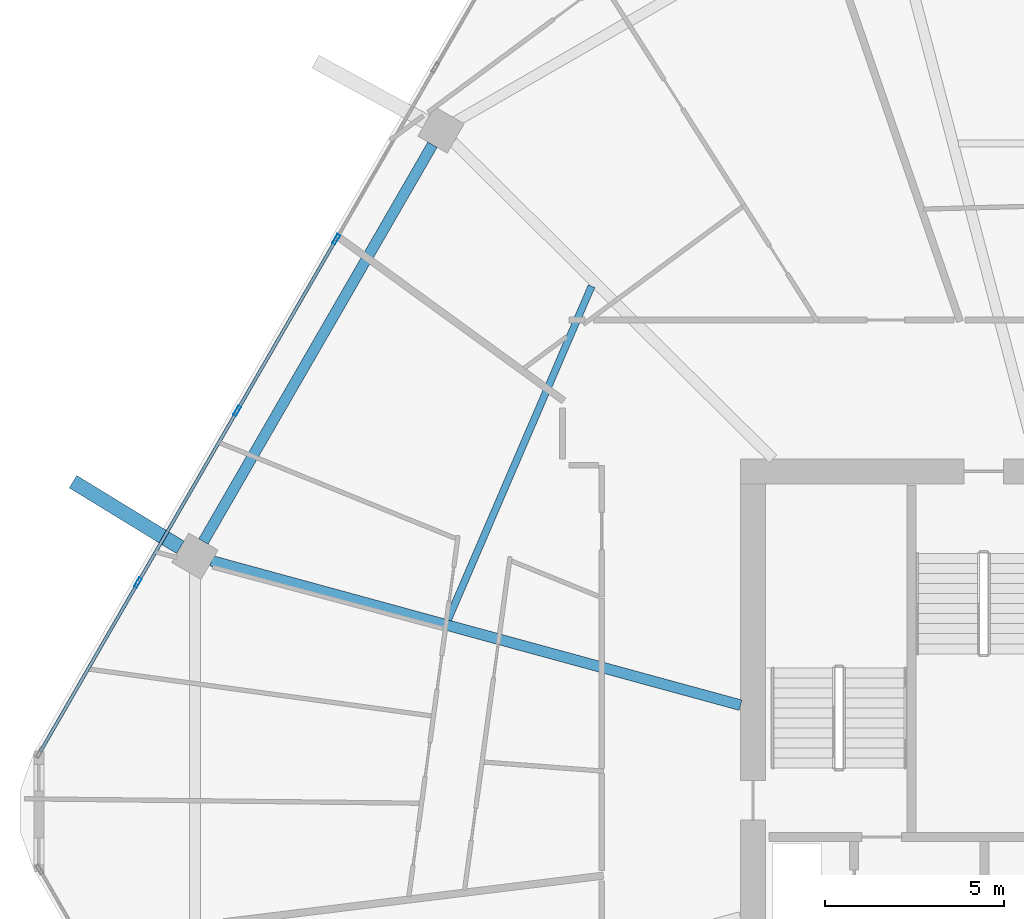
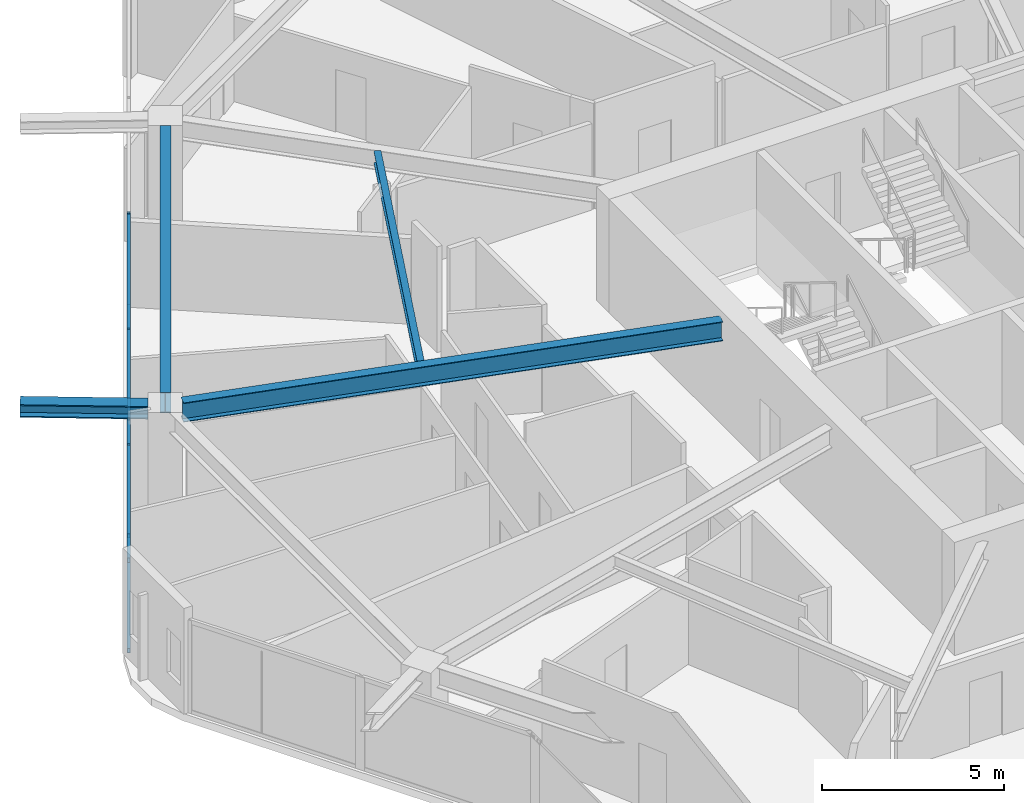
# One storey, part 11 of 25: 9 members, 4 beams, 1 element without a shape of its own.
"""IFC4 building model written with IfcOpenShell, lengths in metres."""

from ifc_helpers import new_model, si_unit, direction, frame, origin, origin_2d, place, context, subcontext, project, spatial, hollow_rectangle, i_section, extrude, material, material_profile, profile_set, type_object, element, aggregate, save


model = new_model("IFC4")

# Units and contexts
model_context = context("Model", 3, precision=1e-05, world=origin(), true_north=direction((0.0, 1.0)))
body_context = subcontext(model_context, "Body", "Model", "MODEL_VIEW")
ifc_project = project(units=[si_unit("LENGTHUNIT", "METRE"), si_unit("AREAUNIT", "SQUARE_METRE"), si_unit("VOLUMEUNIT", "CUBIC_METRE"), si_unit("PLANEANGLEUNIT", "RADIAN"), si_unit("MASSUNIT", "GRAM", prefix="KILO")], contexts=[model_context])

# Site, building, storey
site_placement = place(None, origin())
site = spatial("IfcSite", under=ifc_project, at=site_placement, CompositionType="ELEMENT")
building_placement = place(site_placement, origin())
building = spatial("IfcBuilding", under=site, at=building_placement, Name="Zuhravey Tower", CompositionType="ELEMENT")
storey_placement = place(building_placement, frame((0.0, 0.0, 196.0)))
storey = spatial("IfcBuildingStorey", under=building, at=storey_placement, Name="L49", CompositionType="ELEMENT", Elevation=196.0)

# Curtain wall, members
ifc_material_1 = material(Name="Thermally broken anodised aluminium", Category="aluminium")
curtain_wall_type = type_object("IfcCurtainWallType", Name="Zone 1-2 Residential Curtain Wall CW3", PredefinedType="NOTDEFINED", material=ifc_material_1)
curtain_wall_placement = place(storey_placement, origin())
curtain_wall = element("IfcCurtainWall", 1, at=curtain_wall_placement, inside=storey, type_object=curtain_wall_type, Name="L49 CW3 CW-L49-F3-1", PredefinedType="NOTDEFINED")
ifc_material_2 = material(Name="Anodised aluminium", Category="aluminium")
ifc_material_profile_1 = material_profile(ifc_material_2, hollow_rectangle(XDim=0.090087890625, YDim=0.284912109375, WallThickness=0.0048828125, at=origin_2d()), Name="ALU-RHS-90x285x5")
ifc_profile_set_1 = profile_set([ifc_material_profile_1], Name="Anodised aluminium")
member_type_1 = type_object("IfcMemberType", Name="Curtain-Wall Mullion 90x180", PredefinedType="MULLION", material=ifc_profile_set_1)
member_1_placement = place(storey_placement, frame((8.300537109375, 38.38916015625, 0.0), z_axis=(0.0, 0.0, 1.0), x_axis=(-0.866025138215, 0.500000459979, 0.0)))
member_1 = element("IfcMember", 2, at=member_1_placement, type_object=member_type_1, Name="CW3 mullion 2", PredefinedType="MULLION", context=body_context, shape_type="SweptSolid", body=[
    extrude(hollow_rectangle(XDim=0.090087890625, YDim=0.284912109375, WallThickness=0.0048828125, at=origin_2d()), origin(), (0.0, 0.0, 1.0), 3.1220703125),
])
member_2_placement = place(storey_placement, frame((11.07275390625, 43.190673828125, 0.0), z_axis=(0.0, 0.0, 1.0), x_axis=(-0.866025138215, 0.500000459979, 0.0)))
member_2 = element("IfcMember", 3, at=member_2_placement, type_object=member_type_1, Name="CW3 mullion 3", PredefinedType="MULLION", context=body_context, shape_type="SweptSolid", body=[
    extrude(hollow_rectangle(XDim=0.090087890625, YDim=0.284912109375, WallThickness=0.0048828125, at=origin_2d()), origin(), (0.0, 0.0, 1.0), 3.1220703125),
])
member_3_placement = place(storey_placement, frame((13.844970703125, 47.992431640625, 0.0), z_axis=(0.0, 0.0, 1.0), x_axis=(-0.866025138215, 0.500000459979, 0.0)))
member_3 = element("IfcMember", 4, at=member_3_placement, type_object=member_type_1, Name="CW3 mullion 4", PredefinedType="MULLION", context=body_context, shape_type="SweptSolid", body=[
    extrude(hollow_rectangle(XDim=0.090087890625, YDim=0.284912109375, WallThickness=0.0048828125, at=origin_2d()), origin(), (0.0, 0.0, 1.0), 3.1220703125),
])
ifc_material_profile_2 = material_profile(ifc_material_2, hollow_rectangle(XDim=0.090087890625, YDim=0.14990234375, WallThickness=0.0048828125, at=origin_2d()), Name="ALU-RHS-90x150x5")
ifc_profile_set_2 = profile_set([ifc_material_profile_2], Name="Anodised aluminium")
member_type_2 = type_object("IfcMemberType", Name="Curtain-Wall Transom 90x150", PredefinedType="USERDEFINED", material=ifc_profile_set_2)
member_4_placement = place(storey_placement, frame((5.5732421875, 33.66552734375, 0.044921875), z_axis=(0.499993332629, 0.866029253159, 0.0), x_axis=(-0.866029253159, 0.499993332629, 0.0)))
member_4 = element("IfcMember", 5, at=member_4_placement, type_object=member_type_2, Name="CW3 transom 1.1", ObjectType="TRANSOM", PredefinedType="USERDEFINED", context=body_context, shape_type="SweptSolid", body=[
    extrude(hollow_rectangle(XDim=0.090087890625, YDim=0.14990234375, WallThickness=0.0048828125, at=origin_2d()), origin(), (0.0, 0.0, 1.0), 5.4091796875),
])
member_5_placement = place(storey_placement, frame((5.5732421875, 33.66552734375, 3.076904296875), z_axis=(0.499993332629, 0.866029253159, 0.0), x_axis=(-0.866029253159, 0.499993332629, 0.0)))
member_5 = element("IfcMember", 6, at=member_5_placement, type_object=member_type_2, Name="CW3 transom 1.2", ObjectType="TRANSOM", PredefinedType="USERDEFINED", context=body_context, shape_type="SweptSolid", body=[
    extrude(hollow_rectangle(XDim=0.090087890625, YDim=0.14990234375, WallThickness=0.0048828125, at=origin_2d()), origin(), (0.0, 0.0, 1.0), 5.4091796875),
])
member_6_placement = place(storey_placement, frame((8.322998046875, 38.427978515625, 0.044921875), z_axis=(0.49996138257, 0.86604769842, 0.0), x_axis=(-0.86604769842, 0.49996138257, 0.0)))
member_6 = element("IfcMember", 7, at=member_6_placement, type_object=member_type_2, Name="CW3 transom 2.1", ObjectType="TRANSOM", PredefinedType="USERDEFINED", context=body_context, shape_type="SweptSolid", body=[
    extrude(hollow_rectangle(XDim=0.090087890625, YDim=0.14990234375, WallThickness=0.0048828125, at=origin_2d()), origin(), (0.0, 0.0, 1.0), 5.45458984375),
])
member_7_placement = place(storey_placement, frame((8.322998046875, 38.427978515625, 3.076904296875), z_axis=(0.49996138257, 0.86604769842, 0.0), x_axis=(-0.86604769842, 0.49996138257, 0.0)))
member_7 = element("IfcMember", 8, at=member_7_placement, type_object=member_type_2, Name="CW3 transom 2.2", ObjectType="TRANSOM", PredefinedType="USERDEFINED", context=body_context, shape_type="SweptSolid", body=[
    extrude(hollow_rectangle(XDim=0.090087890625, YDim=0.14990234375, WallThickness=0.0048828125, at=origin_2d()), origin(), (0.0, 0.0, 1.0), 5.45458984375),
])
member_8_placement = place(storey_placement, frame((11.09521484375, 43.229736328125, 0.044921875), z_axis=(0.499980763544, 0.866036509673, 0.0), x_axis=(-0.866036509673, 0.499980763544, 0.0)))
member_8 = element("IfcMember", 9, at=member_8_placement, type_object=member_type_2, Name="CW3 transom 3.1", ObjectType="TRANSOM", PredefinedType="USERDEFINED", context=body_context, shape_type="SweptSolid", body=[
    extrude(hollow_rectangle(XDim=0.090087890625, YDim=0.14990234375, WallThickness=0.0048828125, at=origin_2d()), origin(), (0.0, 0.0, 1.0), 5.454345703125),
])
member_9_placement = place(storey_placement, frame((11.09521484375, 43.229736328125, 3.076904296875), z_axis=(0.499980763544, 0.866036509673, 0.0), x_axis=(-0.866036509673, 0.499980763544, 0.0)))
member_9 = element("IfcMember", 10, at=member_9_placement, type_object=member_type_2, Name="CW3 transom 3.2", ObjectType="TRANSOM", PredefinedType="USERDEFINED", context=body_context, shape_type="SweptSolid", body=[
    extrude(hollow_rectangle(XDim=0.090087890625, YDim=0.14990234375, WallThickness=0.0048828125, at=origin_2d()), origin(), (0.0, 0.0, 1.0), 5.454345703125),
])
aggregate(curtain_wall, [member_1, member_2, member_3, member_4, member_5, member_6, member_7, member_8, member_9])

# Beams
ifc_material_3 = material(Name="Steel SM460", Category="steel")
ifc_material_profile_3 = material_profile(ifc_material_3, i_section(OverallWidth=0.406982421875, OverallDepth=0.427978515625, WebThickness=0.02001953125, FlangeThickness=0.034912109375, at=origin_2d()), Name="H-428x407x20x35")
ifc_profile_set_3 = profile_set([ifc_material_profile_3], Name="Steel SM460")
beam_type_1 = type_object("IfcBeamType", Name="Exoskeleton Node Tie Beam H428x407", PredefinedType="BEAM", material=ifc_profile_set_3)
beam_1_placement = place(storey_placement, frame((9.483642578125, 39.37646484375, 3.3359375), z_axis=(-0.853163418455, 0.521643730347, 0.0), x_axis=(-0.521643730347, -0.853163418455, 0.0)))
element("IfcBeam", 11, at=beam_1_placement, inside=storey, type_object=beam_type_1, Name="L49 Exoskeleton Node Tie NT1-06", PredefinedType="BEAM", context=body_context, shape_type="SweptSolid", body=[
    extrude(i_section(OverallWidth=0.406982421875, OverallDepth=0.427978515625, WebThickness=0.02001953125, FlangeThickness=0.034912109375, at=origin_2d()), origin(), (0.0, 0.0, 1.0), 3.51708984375),
])
ifc_material_4 = material(Name="Steel SM355", Category="steel")
ifc_material_profile_4 = material_profile(ifc_material_4, i_section(OverallWidth=0.300048828125, OverallDepth=0.679931640625, WebThickness=0.012939453125, FlangeThickness=0.02197265625, at=origin_2d()), Name="H-680x300x13x22")
ifc_profile_set_4 = profile_set([ifc_material_profile_4], Name="Steel SM355")
beam_type_2 = type_object("IfcBeamType", Name="Perimeter Ring Beam H680x300", PredefinedType="BEAM", material=ifc_profile_set_4)
beam_2_placement = place(storey_placement, frame((16.535400390625, 50.632568359375, 3.2099609375), z_axis=(-0.500003505699, -0.866023379758, 0.0), x_axis=(0.866023379758, -0.500003505699, 0.0)))
element("IfcBeam", 12, at=beam_2_placement, inside=storey, type_object=beam_type_2, Name="L49 PB2 BM-L49-PB-05", PredefinedType="BEAM", context=body_context, shape_type="SweptSolid", body=[
    extrude(i_section(OverallWidth=0.300048828125, OverallDepth=0.679931640625, WebThickness=0.012939453125, FlangeThickness=0.02197265625, at=origin_2d()), origin(), (0.0, 0.0, 1.0), 12.80810546875),
])
ifc_material_profile_5 = material_profile(ifc_material_4, i_section(OverallWidth=0.300048828125, OverallDepth=0.64990234375, WebThickness=0.012939453125, FlangeThickness=0.02197265625, at=origin_2d()), Name="H-650x300x13x22")
ifc_profile_set_5 = profile_set([ifc_material_profile_5], Name="Steel SM355")
beam_type_3 = type_object("IfcBeamType", Name="Radial Primary Girder H650x300", PredefinedType="BEAM", material=ifc_profile_set_5)
beam_3_placement = place(storey_placement, frame((25.14697265625, 34.96240234375, 3.22509765625), z_axis=(-0.964701703464, 0.263345065139, 0.0), x_axis=(-0.263345065139, -0.964701703464, 0.0)))
element("IfcBeam", 13, at=beam_3_placement, inside=storey, type_object=beam_type_3, Name="L49 RG2 BM-L49-RAD-06", PredefinedType="BEAM", context=body_context, shape_type="SweptSolid", body=[
    extrude(i_section(OverallWidth=0.300048828125, OverallDepth=0.64990234375, WebThickness=0.012939453125, FlangeThickness=0.02197265625, at=origin_2d()), origin(), (0.0, 0.0, 1.0), 15.334716796875),
])
ifc_material_profile_6 = material_profile(ifc_material_4, i_section(OverallWidth=0.199951171875, OverallDepth=0.39990234375, WebThickness=0.008056640625, FlangeThickness=0.012939453125, at=origin_2d()), Name="H-400x200x8x13")
ifc_profile_set_6 = profile_set([ifc_material_profile_6], Name="Steel SM355")
beam_type_4 = type_object("IfcBeamType", Name="Secondary Floor Joist H400x200", PredefinedType="JOIST", material=ifc_profile_set_6)
beam_4_placement = place(storey_placement, frame((20.982421875, 46.676025390625, 3.35009765625), z_axis=(-0.395265853487, -0.918566766799, 0.0), x_axis=(0.918566766799, -0.395265853487, 0.0)))
element("IfcBeam", 14, at=beam_4_placement, inside=storey, type_object=beam_type_4, Name="L49 SJ2 BM-L49-SJ-05-1", PredefinedType="JOIST", context=body_context, shape_type="SweptSolid", body=[
    extrude(i_section(OverallWidth=0.199951171875, OverallDepth=0.39990234375, WebThickness=0.008056640625, FlangeThickness=0.012939453125, at=origin_2d()), origin(), (0.0, 0.0, 1.0), 10.150146484375),
])

save(model, "model.ifc")
